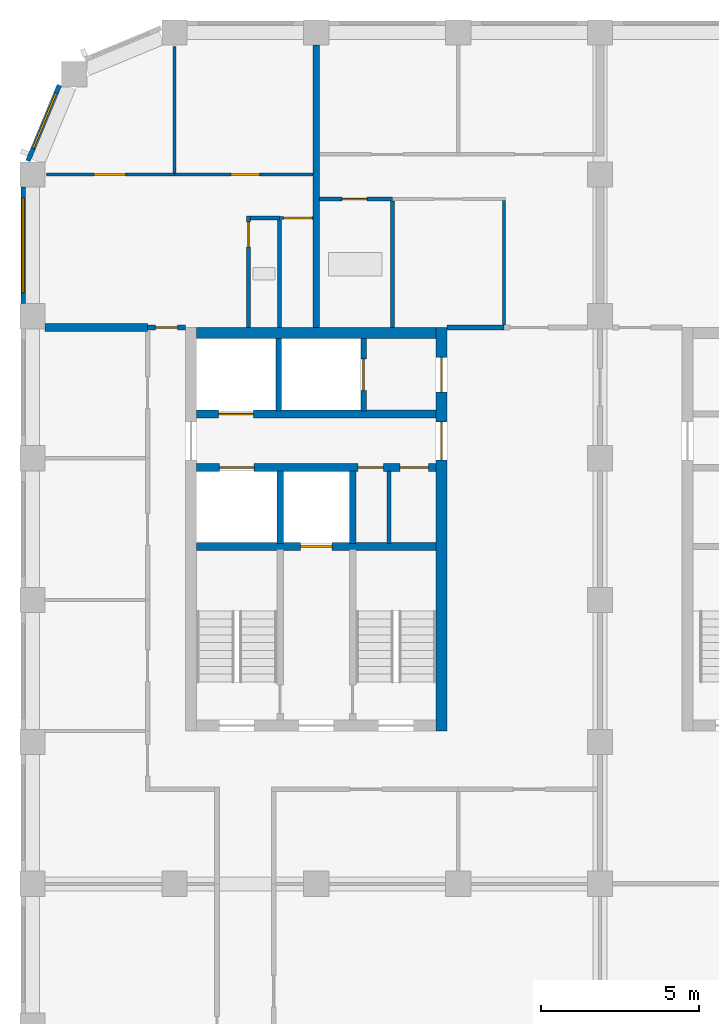
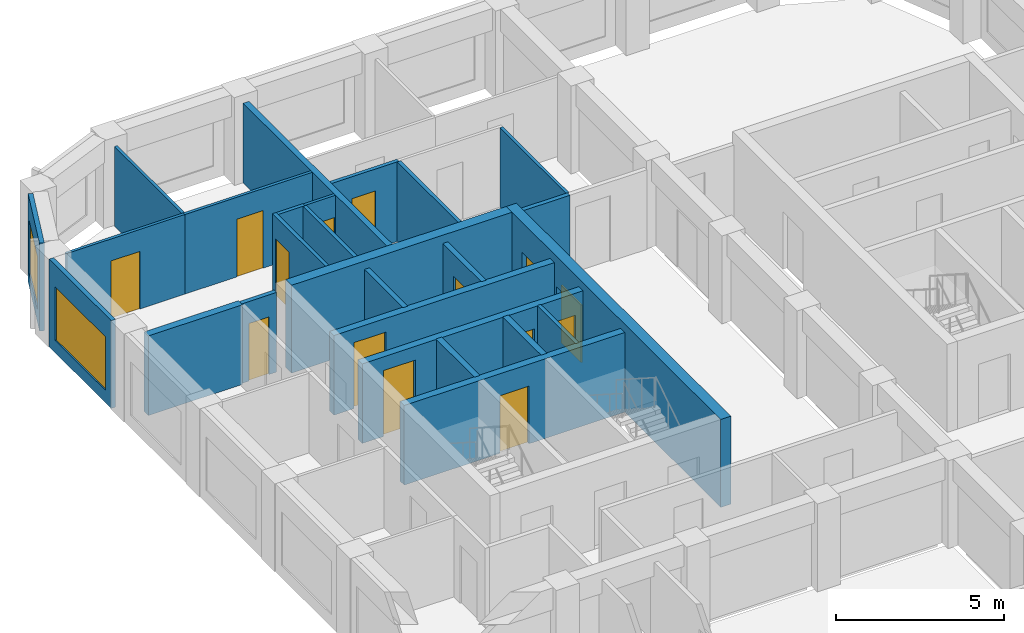
# One storey, part 5 of 9: 26 walls, 14 doors, 2 windows, 16 openings.
"""IFC4 building model written with IfcOpenShell, lengths in metres."""

from ifc_helpers import new_model, si_unit, direction, frame, frame_2d, origin, place, context, subcontext, project, spatial, rectangle, extrude, material, layer, layer_set, type_object, element, fill, save


model = new_model("IFC4")

# Units and contexts
model_context = context("Model", 3, precision=1e-05, world=origin(), true_north=direction((0.0, 1.0)))
body_context = subcontext(model_context, "Body", "Model", "MODEL_VIEW")
ifc_project = project(units=[si_unit("LENGTHUNIT", "METRE"), si_unit("AREAUNIT", "SQUARE_METRE"), si_unit("VOLUMEUNIT", "CUBIC_METRE"), si_unit("PLANEANGLEUNIT", "RADIAN"), si_unit("MASSUNIT", "GRAM", prefix="KILO")], contexts=[model_context])

# Site, building, storey
site_placement = place(None, origin())
site = spatial("IfcSite", under=ifc_project, at=site_placement, CompositionType="ELEMENT")
building_placement = place(site_placement, origin())
building = spatial("IfcBuilding", under=site, at=building_placement, Name="Girih Gate Residences", CompositionType="ELEMENT")
storey_placement = place(building_placement, frame((0.0, 0.0, 219.695068359375)))
storey = spatial("IfcBuildingStorey", under=building, at=storey_placement, Name="L61", CompositionType="ELEMENT", Elevation=219.695068359375)

# Wall
ifc_material_1 = material(Name="Gypsum board on steel studs", Category="steel")
ifc_layer_1 = layer(ifc_material_1, 0.25)
ifc_layer_set_1 = layer_set([ifc_layer_1], Name="Acoustic separating wall 250 mm")
wall_type_1 = type_object("IfcWallType", Name="Acoustic separating wall 250 mm", PredefinedType="PARTITIONING", material=ifc_layer_set_1)
wall_1_placement = place(storey_placement, frame((0.39990234375, 40.14990234375, 0.0), z_axis=(0.0, 0.0, 1.0), x_axis=(1.0, 0.0, 0.0)))
element("IfcWall", 1, at=wall_1_placement, inside=storey, type_object=wall_type_1, Name="L61 partition", PredefinedType="PARTITIONING", context=body_context, shape_type="SweptSolid", body=[
    extrude(rectangle(XDim=3.25, YDim=0.25, at=frame_2d((1.625, 0.0))), origin(), (0.0, 0.0, 1.0), 2.89990234375),
])

# Wall, opening, door
ifc_layer_2 = layer(ifc_material_1, 0.14990234375)
ifc_layer_set_2 = layer_set([ifc_layer_2], Name="Compartment wall 150 mm")
wall_type_2 = type_object("IfcWallType", Name="Compartment wall 150 mm", PredefinedType="PARTITIONING", material=ifc_layer_set_2)
wall_2_placement = place(storey_placement, frame((3.64990234375, 40.14990234375, 0.0), z_axis=(0.0, 0.0, 1.0), x_axis=(1.0, 0.0, 0.0)))
wall_2 = element("IfcWall", 2, at=wall_2_placement, inside=storey, type_object=wall_type_2, Name="L61 partition", PredefinedType="PARTITIONING", context=body_context, shape_type="SweptSolid", body=[
    extrude(rectangle(XDim=1.2001953125, YDim=0.14990234375, at=frame_2d((0.60009765625, 0.0))), origin(), (0.0, 0.0, 1.0), 2.89990234375),
])
opening_1_placement = place(wall_2_placement, frame((0.239990234375, 0.0, 0.0)))
opening_1 = element("IfcOpeningElement", 3, at=opening_1_placement, cuts=wall_2, Name="Opening A61-011", PredefinedType="OPENING", context=body_context, shape_type="SweptSolid", body=[
    extrude(rectangle(XDim=0.699951171875, YDim=2.10009765625, at=frame_2d((0.35009765625, 1.050048828125))), frame((0.0, 0.0849609375, 0.0), z_axis=(0.0, -1.0, 0.0), x_axis=(1.0, 0.0, 0.0)), (0.0, 0.0, 1.0), 0.169921875),
])
ifc_material_2 = material(Name="Timber", Category="wood")
door_type_1 = type_object("IfcDoorType", Name="Narrow door 700x2100", OperationType="NOTDEFINED", PredefinedType="DOOR", material=ifc_material_2)
door_1_placement = place(opening_1_placement, origin())
door_1 = element("IfcDoor", 4, at=door_1_placement, inside=storey, type_object=door_type_1, Name="Door A61-011", OperationType="SINGLE_SWING_LEFT", OverallHeight=2.10009765625, OverallWidth=0.699951171875, PredefinedType="DOOR", context=body_context, shape_type="SweptSolid", body=[
    extrude(rectangle(XDim=0.699951171875, YDim=2.10009765625, at=frame_2d((0.35009765625, 1.050048828125))), frame((0.0, 0.02490234375, 0.0), z_axis=(0.0, -1.0, 0.0), x_axis=(1.0, 0.0, 0.0)), (0.0, 0.0, 1.0), 0.050048828125),
])
fill(opening_1, door_1)

# Walls
wall_3_placement = place(storey_placement, frame((13.14990234375, 40.14990234375, 0.0), z_axis=(0.0, 0.0, 1.0), x_axis=(1.0, 0.0, 0.0)))
element("IfcWall", 5, at=wall_3_placement, inside=storey, type_object=wall_type_2, Name="L61 partition", PredefinedType="PARTITIONING", context=body_context, shape_type="SweptSolid", body=[
    extrude(rectangle(XDim=1.800048828125, YDim=0.14990234375, at=frame_2d((0.89990234375, 0.0))), origin(), (0.0, 0.0, 1.0), 2.89990234375),
])
ifc_material_3 = material(Name="Concrete C60/75", Category="concrete")
ifc_layer_3 = layer(ifc_material_3, 0.35009765625)
ifc_layer_set_3 = layer_set([ifc_layer_3], Name="Core wall RC 350 Concrete C60/75")
wall_type_3 = type_object("IfcWallType", Name="Core wall RC 350 Concrete C60/75", PredefinedType="SOLIDWALL", material=ifc_layer_set_3)
wall_4_placement = place(storey_placement, frame((5.199951171875, 39.97509765625, 0.0), z_axis=(0.0, 0.0, 1.0), x_axis=(1.0, 0.0, 0.0)))
element("IfcWall", 6, at=wall_4_placement, inside=storey, type_object=wall_type_3, Name="Core wall W-N L61", PredefinedType="SOLIDWALL", context=body_context, shape_type="SweptSolid", body=[
    extrude(rectangle(XDim=7.60009765625, YDim=0.35009765625, at=frame_2d((3.800048828125, 0.0))), origin(), (0.0, 0.0, 1.0), 3.199951171875),
])

# Wall, openings, doors
wall_5_placement = place(storey_placement, frame((12.97509765625, 27.35009765625, 0.0), z_axis=(0.0, 0.0, 1.0), x_axis=(0.0, 1.0, 0.0)))
wall_5 = element("IfcWall", 7, at=wall_5_placement, inside=storey, type_object=wall_type_3, Name="Core wall W-E L61", PredefinedType="SOLIDWALL", context=body_context, shape_type="SweptSolid", body=[
    extrude(rectangle(XDim=12.7998046875, YDim=0.35009765625, at=frame_2d((6.39990234375, 0.0))), origin(), (0.0, 0.0, 1.0), 3.199951171875),
])
opening_2_placement = place(wall_5_placement, frame((10.75, 0.0, 0.0)))
opening_2 = element("IfcOpeningElement", 8, at=opening_2_placement, cuts=wall_5, Name="Opening D-L61-W-012", PredefinedType="OPENING", context=body_context, shape_type="SweptSolid", body=[
    extrude(rectangle(XDim=1.10009765625, YDim=2.10009765625, at=frame_2d((0.550048828125, 1.050048828125))), frame((0.0, 0.18505859375, 0.0), z_axis=(0.0, -1.0, 0.0), x_axis=(1.0, 0.0, 0.0)), (0.0, 0.0, 1.0), 0.3701171875),
])
opening_3_placement = place(wall_5_placement, frame((8.60009765625, 0.0, 0.0)))
opening_3 = element("IfcOpeningElement", 9, at=opening_3_placement, cuts=wall_5, Name="Opening D-L61-W-014", PredefinedType="OPENING", context=body_context, shape_type="SweptSolid", body=[
    extrude(rectangle(XDim=1.199951171875, YDim=2.10009765625, at=frame_2d((0.60009765625, 1.050048828125))), frame((0.0, 0.18505859375, 0.0), z_axis=(0.0, -1.0, 0.0), x_axis=(1.0, 0.0, 0.0)), (0.0, 0.0, 1.0), 0.3701171875),
])
ifc_material_4 = material(Name="Painted steel, fire-resisting", Category="steel")
door_type_2 = type_object("IfcDoorType", Name="Fire door 1100x2100", OperationType="SINGLE_SWING_LEFT", PredefinedType="DOOR", material=ifc_material_4)
door_2_placement = place(opening_2_placement, origin())
door_2 = element("IfcDoor", 10, at=door_2_placement, inside=storey, type_object=door_type_2, Name="L61 W core door ffl2-e", OperationType="SINGLE_SWING_LEFT", OverallHeight=2.10009765625, OverallWidth=1.10009765625, PredefinedType="DOOR", context=body_context, shape_type="SweptSolid", body=[
    extrude(rectangle(XDim=1.10009765625, YDim=2.10009765625, at=frame_2d((0.550048828125, 1.050048828125))), frame((0.0, 0.02490234375, 0.0), z_axis=(0.0, -1.0, 0.0), x_axis=(1.0, 0.0, 0.0)), (0.0, 0.0, 1.0), 0.050048828125),
])
fill(opening_2, door_2)
door_type_3 = type_object("IfcDoorType", Name="Fire door 1200x2100", OperationType="SINGLE_SWING_LEFT", PredefinedType="DOOR", material=ifc_material_4)
door_3_placement = place(opening_3_placement, origin())
door_3 = element("IfcDoor", 11, at=door_3_placement, inside=storey, type_object=door_type_3, Name="L61 W core door ll-e", OperationType="SINGLE_SWING_LEFT", OverallHeight=2.10009765625, OverallWidth=1.199951171875, PredefinedType="DOOR", context=body_context, shape_type="SweptSolid", body=[
    extrude(rectangle(XDim=1.199951171875, YDim=2.10009765625, at=frame_2d((0.60009765625, 1.050048828125))), frame((0.0, 0.02490234375, 0.0), z_axis=(0.0, -1.0, 0.0), x_axis=(1.0, 0.0, 0.0)), (0.0, 0.0, 1.0), 0.050048828125),
])
fill(opening_3, door_3)

# Wall, opening, door
ifc_material_5 = material(Name="Concrete C40/50", Category="concrete")
ifc_layer_4 = layer(ifc_material_5, 0.25)
ifc_layer_set_4 = layer_set([ifc_layer_4], Name="Lift shaft wall 250")
wall_type_4 = type_object("IfcWallType", Name="Lift shaft wall 250", PredefinedType="SOLIDWALL", material=ifc_layer_set_4)
wall_6_placement = place(storey_placement, frame((5.199951171875, 33.199951171875, 0.0), z_axis=(0.0, 0.0, 1.0), x_axis=(1.0, 0.0, 0.0)))
wall_6 = element("IfcWall", 12, at=wall_6_placement, inside=storey, type_object=wall_type_4, Name="L61 W core wall H1", PredefinedType="SOLIDWALL", context=body_context, shape_type="SweptSolid", body=[
    extrude(rectangle(XDim=7.60009765625, YDim=0.25, at=frame_2d((3.800048828125, 0.0))), origin(), (0.0, 0.0, 1.0), 2.89990234375),
])
opening_4_placement = place(wall_6_placement, frame((3.300048828125, 0.0, 0.0)))
opening_4 = element("IfcOpeningElement", 13, at=opening_4_placement, cuts=wall_6, Name="Opening D-L61-W-006", PredefinedType="OPENING", context=body_context, shape_type="SweptSolid", body=[
    extrude(rectangle(XDim=1.0, YDim=2.10009765625, at=frame_2d((0.5, 1.050048828125))), frame((0.0, 0.135009765625, 0.0), z_axis=(0.0, -1.0, 0.0), x_axis=(1.0, 0.0, 0.0)), (0.0, 0.0, 1.0), 0.27001953125),
])
ifc_material_6 = material(Name="Stainless steel, fire-resisting", Category="steel")
door_type_4 = type_object("IfcDoorType", Name="Firefighting lift landing door 1000x2100", OperationType="SLIDING_TO_LEFT", PredefinedType="DOOR", material=ifc_material_6)
door_4_placement = place(opening_4_placement, origin())
door_4 = element("IfcDoor", 14, at=door_4_placement, inside=storey, type_object=door_type_4, Name="L61 lift FF-W landing door", OperationType="SLIDING_TO_LEFT", OverallHeight=2.10009765625, OverallWidth=1.0, PredefinedType="DOOR", context=body_context, shape_type="SweptSolid", body=[
    extrude(rectangle(XDim=1.0, YDim=2.10009765625, at=frame_2d((0.5, 1.050048828125))), frame((0.0, 0.02490234375, 0.0), z_axis=(0.0, -1.0, 0.0), x_axis=(1.0, 0.0, 0.0)), (0.0, 0.0, 1.0), 0.050048828125),
])
fill(opening_4, door_4)

# Wall, openings, doors
wall_7_placement = place(storey_placement, frame((5.199951171875, 35.699951171875, 0.0), z_axis=(0.0, 0.0, 1.0), x_axis=(1.0, 0.0, 0.0)))
wall_7 = element("IfcWall", 15, at=wall_7_placement, inside=storey, type_object=wall_type_4, Name="L61 W core wall H2", PredefinedType="SOLIDWALL", context=body_context, shape_type="SweptSolid", body=[
    extrude(rectangle(XDim=7.60009765625, YDim=0.25, at=frame_2d((3.800048828125, 0.0))), origin(), (0.0, 0.0, 1.0), 2.89990234375),
])
opening_5_placement = place(wall_7_placement, frame((0.72509765625, 0.0, 0.0)))
opening_5 = element("IfcOpeningElement", 16, at=opening_5_placement, cuts=wall_7, Name="Opening D-L61-W-005", PredefinedType="OPENING", context=body_context, shape_type="SweptSolid", body=[
    extrude(rectangle(XDim=1.10009765625, YDim=2.39990234375, at=frame_2d((0.550048828125, 1.199951171875))), frame((0.0, 0.135009765625, 0.0), z_axis=(0.0, -1.0, 0.0), x_axis=(1.0, 0.0, 0.0)), (0.0, 0.0, 1.0), 0.27001953125),
])
opening_6_placement = place(wall_7_placement, frame((5.125, 0.0, 0.0)))
opening_6 = element("IfcOpeningElement", 17, at=opening_6_placement, cuts=wall_7, Name="Opening D-L61-W-007", PredefinedType="OPENING", context=body_context, shape_type="SweptSolid", body=[
    extrude(rectangle(XDim=0.800048828125, YDim=2.10009765625, at=frame_2d((0.39990234375, 1.050048828125))), frame((0.0, 0.135009765625, 0.0), z_axis=(0.0, -1.0, 0.0), x_axis=(1.0, 0.0, 0.0)), (0.0, 0.0, 1.0), 0.27001953125),
])
opening_7_placement = place(wall_7_placement, frame((6.449951171875, 0.0, 0.0)))
opening_7 = element("IfcOpeningElement", 18, at=opening_7_placement, cuts=wall_7, Name="Opening D-L61-W-008", PredefinedType="OPENING", context=body_context, shape_type="SweptSolid", body=[
    extrude(rectangle(XDim=0.89990234375, YDim=2.10009765625, at=frame_2d((0.449951171875, 1.050048828125))), frame((0.0, 0.135009765625, 0.0), z_axis=(0.0, -1.0, 0.0), x_axis=(1.0, 0.0, 0.0)), (0.0, 0.0, 1.0), 0.27001953125),
])
door_type_5 = type_object("IfcDoorType", Name="Fire door 800x2100", OperationType="SINGLE_SWING_LEFT", PredefinedType="DOOR", material=ifc_material_4)
door_5_placement = place(opening_6_placement, origin())
door_5 = element("IfcDoor", 19, at=door_5_placement, inside=storey, type_object=door_type_5, Name="L61 W comms room door", OperationType="SINGLE_SWING_LEFT", OverallHeight=2.10009765625, OverallWidth=0.800048828125, PredefinedType="DOOR", context=body_context, shape_type="SweptSolid", body=[
    extrude(rectangle(XDim=0.800048828125, YDim=2.10009765625, at=frame_2d((0.39990234375, 1.050048828125))), frame((0.0, 0.02490234375, 0.0), z_axis=(0.0, -1.0, 0.0), x_axis=(1.0, 0.0, 0.0)), (0.0, 0.0, 1.0), 0.050048828125),
])
fill(opening_6, door_5)
door_type_6 = type_object("IfcDoorType", Name="Fire door 900x2100", OperationType="SINGLE_SWING_LEFT", PredefinedType="DOOR", material=ifc_material_4)
door_6_placement = place(opening_7_placement, origin())
door_6 = element("IfcDoor", 20, at=door_6_placement, inside=storey, type_object=door_type_6, Name="L61 W linen store door", OperationType="SINGLE_SWING_LEFT", OverallHeight=2.10009765625, OverallWidth=0.89990234375, PredefinedType="DOOR", context=body_context, shape_type="SweptSolid", body=[
    extrude(rectangle(XDim=0.89990234375, YDim=2.10009765625, at=frame_2d((0.449951171875, 1.050048828125))), frame((0.0, 0.02490234375, 0.0), z_axis=(0.0, -1.0, 0.0), x_axis=(1.0, 0.0, 0.0)), (0.0, 0.0, 1.0), 0.050048828125),
])
fill(opening_7, door_6)
ifc_material_7 = material(Name="Stainless steel", Category="steel")
door_type_7 = type_object("IfcDoorType", Name="Lift landing door 1100x2400", OperationType="SLIDING_TO_LEFT", PredefinedType="DOOR", material=ifc_material_7)
door_7_placement = place(opening_5_placement, origin())
door_7 = element("IfcDoor", 21, at=door_7_placement, inside=storey, type_object=door_type_7, Name="L61 lift HR-W1 landing door", OperationType="SLIDING_TO_LEFT", OverallHeight=2.39990234375, OverallWidth=1.10009765625, PredefinedType="DOOR", context=body_context, shape_type="SweptSolid", body=[
    extrude(rectangle(XDim=1.10009765625, YDim=2.39990234375, at=frame_2d((0.550048828125, 1.199951171875))), frame((0.0, 0.02490234375, 0.0), z_axis=(0.0, -1.0, 0.0), x_axis=(1.0, 0.0, 0.0)), (0.0, 0.0, 1.0), 0.050048828125),
])
fill(opening_5, door_7)

# Wall, opening, door
wall_8_placement = place(storey_placement, frame((5.199951171875, 37.39990234375, 0.0), z_axis=(0.0, 0.0, 1.0), x_axis=(1.0, 0.0, 0.0)))
wall_8 = element("IfcWall", 22, at=wall_8_placement, inside=storey, type_object=wall_type_4, Name="L61 W core wall H3", PredefinedType="SOLIDWALL", context=body_context, shape_type="SweptSolid", body=[
    extrude(rectangle(XDim=7.60009765625, YDim=0.25, at=frame_2d((3.800048828125, 0.0))), origin(), (0.0, 0.0, 1.0), 2.89990234375),
])
opening_8_placement = place(wall_8_placement, frame((0.699951171875, 0.0, 0.0)))
opening_8 = element("IfcOpeningElement", 23, at=opening_8_placement, cuts=wall_8, Name="Opening D-L61-W-003", PredefinedType="OPENING", context=body_context, shape_type="SweptSolid", body=[
    extrude(rectangle(XDim=1.10009765625, YDim=2.39990234375, at=frame_2d((0.550048828125, 1.199951171875))), frame((0.0, 0.135009765625, 0.0), z_axis=(0.0, -1.0, 0.0), x_axis=(1.0, 0.0, 0.0)), (0.0, 0.0, 1.0), 0.27001953125),
])
door_8_placement = place(opening_8_placement, origin())
door_8 = element("IfcDoor", 24, at=door_8_placement, inside=storey, type_object=door_type_7, Name="L61 lift LR-W1 landing door", OperationType="SLIDING_TO_LEFT", OverallHeight=2.39990234375, OverallWidth=1.10009765625, PredefinedType="DOOR", context=body_context, shape_type="SweptSolid", body=[
    extrude(rectangle(XDim=1.10009765625, YDim=2.39990234375, at=frame_2d((0.550048828125, 1.199951171875))), frame((0.0, 0.02490234375, 0.0), z_axis=(0.0, -1.0, 0.0), x_axis=(1.0, 0.0, 0.0)), (0.0, 0.0, 1.0), 0.050048828125),
])
fill(opening_8, door_8)

ifc_layer_5 = layer(ifc_material_1, 0.10009765625)
ifc_layer_set_5 = layer_set([ifc_layer_5], Name="Partition 100 mm")
wall_type_5 = type_object("IfcWallType", Name="Partition 100 mm", PredefinedType="PARTITIONING", material=ifc_layer_set_5)
wall_9_placement = place(storey_placement, frame((4.5, 45.0, 0.0), z_axis=(0.0, 0.0, 1.0), x_axis=(1.0, 0.0, 0.0)))
wall_9 = element("IfcWall", 25, at=wall_9_placement, inside=storey, type_object=wall_type_5, Name="L61 partition", PredefinedType="PARTITIONING", context=body_context, shape_type="SweptSolid", body=[
    extrude(rectangle(XDim=4.39990234375, YDim=0.10009765625, at=frame_2d((2.199951171875, 0.0))), origin(), (0.0, 0.0, 1.0), 2.89990234375),
])
opening_9_placement = place(wall_9_placement, frame((1.800048828125, 0.0, 0.0)))
opening_9 = element("IfcOpeningElement", 26, at=opening_9_placement, cuts=wall_9, Name="Opening A61-008", PredefinedType="OPENING", context=body_context, shape_type="SweptSolid", body=[
    extrude(rectangle(XDim=0.89990234375, YDim=2.10009765625, at=frame_2d((0.449951171875, 1.050048828125))), frame((0.0, 0.06005859375, 0.0), z_axis=(0.0, -1.0, 0.0), x_axis=(1.0, 0.0, 0.0)), (0.0, 0.0, 1.0), 0.1201171875),
])
door_type_8 = type_object("IfcDoorType", Name="Bedroom door 900x2100", OperationType="NOTDEFINED", PredefinedType="DOOR", material=ifc_material_2)
door_9_placement = place(opening_9_placement, origin())
door_9 = element("IfcDoor", 27, at=door_9_placement, inside=storey, type_object=door_type_8, Name="Door A61-008", OperationType="SINGLE_SWING_RIGHT", OverallHeight=2.10009765625, OverallWidth=0.89990234375, PredefinedType="DOOR", context=body_context, shape_type="SweptSolid", body=[
    extrude(rectangle(XDim=0.89990234375, YDim=2.10009765625, at=frame_2d((0.449951171875, 1.050048828125))), frame((0.0, 0.02490234375, 0.0), z_axis=(0.0, -1.0, 0.0), x_axis=(1.0, 0.0, 0.0)), (0.0, 0.0, 1.0), 0.050048828125),
])
fill(opening_9, door_9)

# Wall
wall_10_placement = place(storey_placement, frame((4.5, 45.050048828125, 0.0), z_axis=(0.0, 0.0, 1.0), x_axis=(0.0, 1.0, 0.0)))
element("IfcWall", 28, at=wall_10_placement, inside=storey, type_object=wall_type_5, Name="L61 partition", PredefinedType="PARTITIONING", context=body_context, shape_type="SweptSolid", body=[
    extrude(rectangle(XDim=4.01708984375, YDim=0.10009765625, at=frame_2d((2.008544921875, 0.0))), origin(), (0.0, 0.0, 1.0), 2.89990234375),
])

# Wall, opening, door
wall_11_placement = place(storey_placement, frame((8.89990234375, 43.6201171875, 0.0), z_axis=(0.0, 0.0, 1.0), x_axis=(-1.0, 0.0, 0.0)))
wall_11 = element("IfcWall", 29, at=wall_11_placement, inside=storey, type_object=wall_type_5, Name="L61 partition", PredefinedType="PARTITIONING", context=body_context, shape_type="SweptSolid", body=[
    extrude(rectangle(XDim=1.072509765625, YDim=0.10009765625, at=frame_2d((0.5361328125, 0.0))), origin(), (0.0, 0.0, 1.0), 2.89990234375),
])
opening_10_placement = place(wall_11_placement, frame((0.036376953125, 0.0, 0.0)))
opening_10 = element("IfcOpeningElement", 30, at=opening_10_placement, cuts=wall_11, Name="Opening A61-009", PredefinedType="OPENING", context=body_context, shape_type="SweptSolid", body=[
    extrude(rectangle(XDim=0.89990234375, YDim=2.10009765625, at=frame_2d((0.449951171875, 1.050048828125))), frame((0.0, 0.06005859375, 0.0), z_axis=(0.0, -1.0, 0.0), x_axis=(1.0, 0.0, 0.0)), (0.0, 0.0, 1.0), 0.1201171875),
])
door_type_9 = type_object("IfcDoorType", Name="Kitchen door 900x2100", OperationType="NOTDEFINED", PredefinedType="DOOR", material=ifc_material_2)
door_10_placement = place(opening_10_placement, origin())
door_10 = element("IfcDoor", 31, at=door_10_placement, inside=storey, type_object=door_type_9, Name="Door A61-009", OperationType="SINGLE_SWING_LEFT", OverallHeight=2.10009765625, OverallWidth=0.89990234375, PredefinedType="DOOR", context=body_context, shape_type="SweptSolid", body=[
    extrude(rectangle(XDim=0.89990234375, YDim=2.10009765625, at=frame_2d((0.449951171875, 1.050048828125))), frame((0.0, 0.02490234375, 0.0), z_axis=(0.0, -1.0, 0.0), x_axis=(1.0, 0.0, 0.0)), (0.0, 0.0, 1.0), 0.050048828125),
])
fill(opening_10, door_10)

wall_12_placement = place(storey_placement, frame((0.432861328125, 45.0, 0.0), z_axis=(0.0, 0.0, 1.0), x_axis=(1.0, 0.0, 0.0)))
wall_12 = element("IfcWall", 32, at=wall_12_placement, inside=storey, type_object=wall_type_5, Name="L61 partition", PredefinedType="PARTITIONING", context=body_context, shape_type="SweptSolid", body=[
    extrude(rectangle(XDim=4.067138671875, YDim=0.10009765625, at=frame_2d((2.03369140625, 0.0))), origin(), (0.0, 0.0, 1.0), 2.89990234375),
])
opening_11_placement = place(wall_12_placement, frame((1.51708984375, 0.0, 0.0)))
opening_11 = element("IfcOpeningElement", 33, at=opening_11_placement, cuts=wall_12, Name="Opening A61-010", PredefinedType="OPENING", context=body_context, shape_type="SweptSolid", body=[
    extrude(rectangle(XDim=1.0, YDim=2.10009765625, at=frame_2d((0.5, 1.050048828125))), frame((0.0, 0.06005859375, 0.0), z_axis=(0.0, -1.0, 0.0), x_axis=(1.0, 0.0, 0.0)), (0.0, 0.0, 1.0), 0.1201171875),
])
door_type_10 = type_object("IfcDoorType", Name="Living room door 1000x2100", OperationType="NOTDEFINED", PredefinedType="DOOR", material=ifc_material_2)
door_11_placement = place(opening_11_placement, origin())
door_11 = element("IfcDoor", 34, at=door_11_placement, inside=storey, type_object=door_type_10, Name="Door A61-010", OperationType="SINGLE_SWING_LEFT", OverallHeight=2.10009765625, OverallWidth=1.0, PredefinedType="DOOR", context=body_context, shape_type="SweptSolid", body=[
    extrude(rectangle(XDim=1.0, YDim=2.10009765625, at=frame_2d((0.5, 1.050048828125))), frame((0.0, 0.02490234375, 0.0), z_axis=(0.0, -1.0, 0.0), x_axis=(1.0, 0.0, 0.0)), (0.0, 0.0, 1.0), 0.050048828125),
])
fill(opening_11, door_11)

# Walls
wall_13_placement = place(storey_placement, frame((14.949951171875, 40.22509765625, 0.0), z_axis=(0.0, 0.0, 1.0), x_axis=(0.0, 1.0, 0.0)))
element("IfcWall", 35, at=wall_13_placement, inside=storey, type_object=wall_type_5, Name="L61 partition", PredefinedType="PARTITIONING", context=body_context, shape_type="SweptSolid", body=[
    extrude(rectangle(XDim=3.94482421875, YDim=0.10009765625, at=frame_2d((1.972412109375, 0.0))), origin(), (0.0, 0.0, 1.0), 2.89990234375),
])
ifc_layer_6 = layer(ifc_material_1, 0.199951171875)
ifc_layer_set_6 = layer_set([ifc_layer_6], Name="Party wall 200 mm")
wall_type_6 = type_object("IfcWallType", Name="Party wall 200 mm", PredefinedType="PARTITIONING", material=ifc_layer_set_6)
wall_14_placement = place(storey_placement, frame((9.0, 40.14990234375, 0.0), z_axis=(0.0, 0.0, 1.0), x_axis=(0.0, 1.0, 0.0)))
element("IfcWall", 36, at=wall_14_placement, inside=storey, type_object=wall_type_6, Name="L61 partition", PredefinedType="PARTITIONING", context=body_context, shape_type="SweptSolid", body=[
    extrude(rectangle(XDim=8.9501953125, YDim=0.199951171875, at=frame_2d((4.47509765625, 0.0))), origin(), (0.0, 0.0, 1.0), 2.89990234375),
])

# Wall, opening, window
ifc_material_8 = material(Name="Precast concrete C50/60", Category="concrete")
ifc_layer_7 = layer(ifc_material_8, 0.050048828125, Name="Outer leaf")
ifc_material_9 = material(Name="Rigid PIR insulation")
ifc_layer_8 = layer(ifc_material_9, 0.06005859375, Name="Insulation")
ifc_material_10 = material(Name="Precast concrete C40/50", Category="concrete")
ifc_layer_9 = layer(ifc_material_10, 0.0400390625, Name="Inner leaf")
ifc_layer_set_7 = layer_set([ifc_layer_7, ifc_layer_8, ifc_layer_9], Name="Precast concrete C50/60 external wall 150")
wall_type_7 = type_object("IfcWallType", Name="Precast concrete C50/60 external wall 150", PredefinedType="SOLIDWALL", material=ifc_layer_set_7)
wall_15_placement = place(storey_placement, frame((-0.147216796875, 45.4287109375, 0.0), z_axis=(0.0, 0.0, 1.0), x_axis=(0.382669406082, 0.923885342263, 0.0)))
wall_15 = element("IfcWall", 37, at=wall_15_placement, inside=storey, type_object=wall_type_7, Name="External wall NW0013_0482.0", PredefinedType="SOLIDWALL", context=body_context, shape_type="SweptSolid", body=[
    extrude(rectangle(XDim=2.602294921875, YDim=0.14990234375, at=frame_2d((1.30126953125, 0.0))), origin(), (0.0, 0.0, 1.0), 3.199951171875),
])
opening_12_placement = place(wall_15_placement, frame((0.432373046875, 0.0, 0.449951171875)))
opening_12 = element("IfcOpeningElement", 38, at=opening_12_placement, cuts=wall_15, Name="Opening W-2G", PredefinedType="OPENING", context=body_context, shape_type="SweptSolid", body=[
    extrude(rectangle(XDim=1.89990234375, YDim=1.949951171875, at=frame_2d((0.949951171875, 0.97509765625))), frame((0.0, 0.0849609375, 0.0), z_axis=(0.0, -1.0, 0.0), x_axis=(1.0, 0.0, 0.0)), (0.0, 0.0, 1.0), 0.169921875),
])
ifc_material_11 = material(Name="Double glazing in aluminium frame", Category="aluminium")
window_type_1 = type_object("IfcWindowType", Name="Window W-2G 1900x1950", PartitioningType="SINGLE_PANEL", PredefinedType="WINDOW", material=ifc_material_11)
window_1_placement = place(opening_12_placement, origin())
window_1 = element("IfcWindow", 39, at=window_1_placement, inside=storey, type_object=window_type_1, Name="Window W-2G NW0013_0482.0", OverallHeight=1.949951171875, OverallWidth=1.89990234375, PartitioningType="SINGLE_PANEL", PredefinedType="WINDOW", context=body_context, shape_type="SweptSolid", body=[
    extrude(rectangle(XDim=1.89990234375, YDim=1.949951171875, at=frame_2d((0.949951171875, 0.97509765625))), frame((0.0, 0.030029296875, 0.0), z_axis=(0.0, -1.0, 0.0), x_axis=(1.0, 0.0, 0.0)), (0.0, 0.0, 1.0), 0.06005859375),
])
fill(opening_12, window_1)

wall_16_placement = place(storey_placement, frame((-0.300048828125, 40.89990234375, 0.0), z_axis=(0.0, 0.0, 1.0), x_axis=(0.0, 1.0, 0.0)))
wall_16 = element("IfcWall", 40, at=wall_16_placement, inside=storey, type_object=wall_type_7, Name="External wall W0000_0450.0", PredefinedType="SOLIDWALL", context=body_context, shape_type="SweptSolid", body=[
    extrude(rectangle(XDim=3.7001953125, YDim=0.14990234375, at=frame_2d((1.85009765625, 0.0))), origin(), (0.0, 0.0, 1.0), 3.199951171875),
])
opening_13_placement = place(wall_16_placement, frame((0.35009765625, 0.0, 0.449951171875)))
opening_13 = element("IfcOpeningElement", 41, at=opening_13_placement, cuts=wall_16, Name="Opening W-1D", PredefinedType="OPENING", context=body_context, shape_type="SweptSolid", body=[
    extrude(rectangle(XDim=3.0, YDim=1.949951171875, at=frame_2d((1.5, 0.97509765625))), frame((0.0, 0.0849609375, 0.0), z_axis=(0.0, -1.0, 0.0), x_axis=(1.0, 0.0, 0.0)), (0.0, 0.0, 1.0), 0.169921875),
])
window_type_2 = type_object("IfcWindowType", Name="Window W-1D 3000x1950", PartitioningType="SINGLE_PANEL", PredefinedType="WINDOW", material=ifc_material_11)
window_2_placement = place(opening_13_placement, origin())
window_2 = element("IfcWindow", 42, at=window_2_placement, inside=storey, type_object=window_type_2, Name="Window W-1D W0000_0450.0", OverallHeight=1.949951171875, OverallWidth=3.0, PartitioningType="SINGLE_PANEL", PredefinedType="WINDOW", context=body_context, shape_type="SweptSolid", body=[
    extrude(rectangle(XDim=3.0, YDim=1.949951171875, at=frame_2d((1.5, 0.97509765625))), frame((0.0, 0.030029296875, 0.0), z_axis=(0.0, -1.0, 0.0), x_axis=(1.0, 0.0, 0.0)), (0.0, 0.0, 1.0), 0.06005859375),
])
fill(opening_13, window_2)

# Wall
ifc_layer_10 = layer(ifc_material_5, 0.175048828125)
ifc_layer_set_8 = layer_set([ifc_layer_10], Name="Riser shaft wall 175")
wall_type_8 = type_object("IfcWallType", Name="Riser shaft wall 175", PredefinedType="SOLIDWALL", material=ifc_layer_set_8)
wall_17_placement = place(storey_placement, frame((7.800048828125, 37.5, 0.0), z_axis=(0.0, 0.0, 1.0), x_axis=(0.0, 1.0, 0.0)))
element("IfcWall", 43, at=wall_17_placement, inside=storey, type_object=wall_type_8, Name="L61 W core wall V1c", PredefinedType="SOLIDWALL", context=body_context, shape_type="SweptSolid", body=[
    extrude(rectangle(XDim=2.300048828125, YDim=0.175048828125, at=frame_2d((1.14990234375, 0.0))), origin(), (0.0, 0.0, 1.0), 2.89990234375),
])

# Wall, opening, door
wall_18_placement = place(storey_placement, frame((10.5, 37.5, 0.0), z_axis=(0.0, 0.0, 1.0), x_axis=(0.0, 1.0, 0.0)))
wall_18 = element("IfcWall", 44, at=wall_18_placement, inside=storey, type_object=wall_type_8, Name="L61 W core wall V2c", PredefinedType="SOLIDWALL", context=body_context, shape_type="SweptSolid", body=[
    extrude(rectangle(XDim=2.300048828125, YDim=0.175048828125, at=frame_2d((1.14990234375, 0.0))), origin(), (0.0, 0.0, 1.0), 2.89990234375),
])
opening_14_placement = place(wall_18_placement, frame((0.64990234375, 0.0, 0.0)))
opening_14 = element("IfcOpeningElement", 45, at=opening_14_placement, cuts=wall_18, Name="Opening D-L61-W-004", PredefinedType="OPENING", context=body_context, shape_type="SweptSolid", body=[
    extrude(rectangle(XDim=1.0, YDim=2.10009765625, at=frame_2d((0.5, 1.050048828125))), frame((0.0, 0.097412109375, 0.0), z_axis=(0.0, -1.0, 0.0), x_axis=(1.0, 0.0, 0.0)), (0.0, 0.0, 1.0), 0.195068359375),
])
door_12_placement = place(opening_14_placement, origin())
door_12 = element("IfcDoor", 46, at=door_12_placement, inside=storey, type_object=door_type_4, Name="L61 lift FF-W2 landing door", OperationType="SLIDING_TO_LEFT", OverallHeight=2.10009765625, OverallWidth=1.0, PredefinedType="DOOR", context=body_context, shape_type="SweptSolid", body=[
    extrude(rectangle(XDim=1.0, YDim=2.10009765625, at=frame_2d((0.5, 1.050048828125))), frame((0.0, 0.02490234375, 0.0), z_axis=(0.0, -1.0, 0.0), x_axis=(1.0, 0.0, 0.0)), (0.0, 0.0, 1.0), 0.050048828125),
])
fill(opening_14, door_12)

# Walls
ifc_layer_11 = layer(ifc_material_5, 0.199951171875)
ifc_layer_set_9 = layer_set([ifc_layer_11], Name="Shaft wall 200")
wall_type_9 = type_object("IfcWallType", Name="Shaft wall 200", PredefinedType="SOLIDWALL", material=ifc_layer_set_9)
for number, where, z_axis, x_axis, name in (
    (47, (7.85009765625, 33.300048828125, 0.0), (0.0, 0.0, 1.0), (0.0, 1.0, 0.0), "L61 W core wall V1b"),
    (48, (10.14990234375, 33.300048828125, 0.0), (0.0, 0.0, 1.0), (0.0, 1.0, 0.0), "L61 W core wall V2b"),
):
    element("IfcWall", number, at=place(storey_placement, frame(where, z_axis=z_axis, x_axis=x_axis)), inside=storey, type_object=wall_type_9, Name=name, PredefinedType="SOLIDWALL", context=body_context, shape_type="SweptSolid", body=[
        extrude(rectangle(XDim=2.300048828125, YDim=0.199951171875, at=frame_2d((1.14990234375, 0.0))), origin(), (0.0, 0.0, 1.0), 2.89990234375),
    ])
ifc_material_12 = material(Name="Calcium silicate blockwork", Category="masonry")
ifc_layer_12 = layer(ifc_material_12, 0.125)
ifc_layer_set_10 = layer_set([ifc_layer_12], Name="Store partition 125")
wall_type_10 = type_object("IfcWallType", Name="Store partition 125", PredefinedType="PARTITIONING", material=ifc_layer_set_10)
wall_19_placement = place(storey_placement, frame((11.300048828125, 33.300048828125, 0.0), z_axis=(0.0, 0.0, 1.0), x_axis=(0.0, 1.0, 0.0)))
element("IfcWall", 49, at=wall_19_placement, inside=storey, type_object=wall_type_10, Name="L61 W core wall SHR2", PredefinedType="PARTITIONING", context=body_context, shape_type="SweptSolid", body=[
    extrude(rectangle(XDim=2.300048828125, YDim=0.125, at=frame_2d((1.14990234375, 0.0))), origin(), (0.0, 0.0, 1.0), 2.89990234375),
])

# Wall, opening, door
ifc_layer_13 = layer(ifc_material_1, 0.125)
ifc_layer_set_11 = layer_set([ifc_layer_13], Name="Wet room wall 125 mm")
wall_type_11 = type_object("IfcWallType", Name="Wet room wall 125 mm", PredefinedType="PARTITIONING", material=ifc_layer_set_11)
wall_20_placement = place(storey_placement, frame((6.85009765625, 43.6826171875, 0.0), z_axis=(0.0, 0.0, 1.0), x_axis=(0.0, -1.0, 0.0)))
wall_20 = element("IfcWall", 50, at=wall_20_placement, inside=storey, type_object=wall_type_11, Name="L61 partition", PredefinedType="PARTITIONING", context=body_context, shape_type="SweptSolid", body=[
    extrude(rectangle(XDim=3.53271484375, YDim=0.125, at=frame_2d((1.766357421875, 0.0))), origin(), (0.0, 0.0, 1.0), 2.89990234375),
])
opening_15_placement = place(wall_20_placement, frame((0.1826171875, 0.0, 0.0)))
opening_15 = element("IfcOpeningElement", 51, at=opening_15_placement, cuts=wall_20, Name="Opening A61-007", PredefinedType="OPENING", context=body_context, shape_type="SweptSolid", body=[
    extrude(rectangle(XDim=0.800048828125, YDim=2.10009765625, at=frame_2d((0.39990234375, 1.050048828125))), frame((0.0, 0.072509765625, 0.0), z_axis=(0.0, -1.0, 0.0), x_axis=(1.0, 0.0, 0.0)), (0.0, 0.0, 1.0), 0.14501953125),
])
door_type_11 = type_object("IfcDoorType", Name="Bathroom door 800x2100", OperationType="NOTDEFINED", PredefinedType="DOOR", material=ifc_material_2)
door_13_placement = place(opening_15_placement, origin())
door_13 = element("IfcDoor", 52, at=door_13_placement, inside=storey, type_object=door_type_11, Name="Door A61-007", OperationType="SINGLE_SWING_LEFT", OverallHeight=2.10009765625, OverallWidth=0.800048828125, PredefinedType="DOOR", context=body_context, shape_type="SweptSolid", body=[
    extrude(rectangle(XDim=0.800048828125, YDim=2.10009765625, at=frame_2d((0.39990234375, 1.050048828125))), frame((0.0, 0.02490234375, 0.0), z_axis=(0.0, -1.0, 0.0), x_axis=(1.0, 0.0, 0.0)), (0.0, 0.0, 1.0), 0.050048828125),
])
fill(opening_15, door_13)

# Walls
wall_21_placement = place(storey_placement, frame((6.91259765625, 43.6201171875, 0.0), z_axis=(0.0, 0.0, 1.0), x_axis=(1.0, 0.0, 0.0)))
element("IfcWall", 53, at=wall_21_placement, inside=storey, type_object=wall_type_11, Name="L61 partition", PredefinedType="PARTITIONING", context=body_context, shape_type="SweptSolid", body=[
    extrude(rectangle(XDim=0.914794921875, YDim=0.125, at=frame_2d((0.45751953125, 0.0))), origin(), (0.0, 0.0, 1.0), 2.89990234375),
])
wall_22_placement = place(storey_placement, frame((7.826904296875, 40.14990234375, 0.0), z_axis=(0.0, 0.0, 1.0), x_axis=(0.0, 1.0, 0.0)))
element("IfcWall", 54, at=wall_22_placement, inside=storey, type_object=wall_type_11, Name="L61 partition", PredefinedType="PARTITIONING", context=body_context, shape_type="SweptSolid", body=[
    extrude(rectangle(XDim=3.40771484375, YDim=0.125, at=frame_2d((1.703857421875, 0.0))), origin(), (0.0, 0.0, 1.0), 2.89990234375),
])

# Wall, opening, door
wall_23_placement = place(storey_placement, frame((11.418212890625, 44.219970703125, 0.0), z_axis=(0.0, 0.0, 1.0), x_axis=(-1.0, 0.0, 0.0)))
wall_23 = element("IfcWall", 55, at=wall_23_placement, inside=storey, type_object=wall_type_11, Name="L61 partition", PredefinedType="PARTITIONING", context=body_context, shape_type="SweptSolid", body=[
    extrude(rectangle(XDim=2.318115234375, YDim=0.125, at=frame_2d((1.1591796875, 0.0))), origin(), (0.0, 0.0, 1.0), 2.89990234375),
])
opening_16_placement = place(wall_23_placement, frame((0.80908203125, 0.0, 0.0)))
opening_16 = element("IfcOpeningElement", 56, at=opening_16_placement, cuts=wall_23, Name="Opening A61-012", PredefinedType="OPENING", context=body_context, shape_type="SweptSolid", body=[
    extrude(rectangle(XDim=0.800048828125, YDim=2.10009765625, at=frame_2d((0.39990234375, 1.050048828125))), frame((0.0, 0.072509765625, 0.0), z_axis=(0.0, -1.0, 0.0), x_axis=(1.0, 0.0, 0.0)), (0.0, 0.0, 1.0), 0.14501953125),
])
door_14_placement = place(opening_16_placement, origin())
door_14 = element("IfcDoor", 57, at=door_14_placement, inside=storey, type_object=door_type_11, Name="Door A61-012", OperationType="SINGLE_SWING_RIGHT", OverallHeight=2.10009765625, OverallWidth=0.800048828125, PredefinedType="DOOR", context=body_context, shape_type="SweptSolid", body=[
    extrude(rectangle(XDim=0.800048828125, YDim=2.10009765625, at=frame_2d((0.39990234375, 1.050048828125))), frame((0.0, 0.02490234375, 0.0), z_axis=(0.0, -1.0, 0.0), x_axis=(1.0, 0.0, 0.0)), (0.0, 0.0, 1.0), 0.050048828125),
])
fill(opening_16, door_14)

# Wall
wall_24_placement = place(storey_placement, frame((11.41796875, 40.14990234375, 0.0), z_axis=(0.0, 0.0, 1.0), x_axis=(0.0, 1.0, 0.0)))
element("IfcWall", 58, at=wall_24_placement, inside=storey, type_object=wall_type_11, Name="L61 partition", PredefinedType="PARTITIONING", context=body_context, shape_type="SweptSolid", body=[
    extrude(rectangle(XDim=4.007568359375, YDim=0.125, at=frame_2d((2.00390625, 0.0))), origin(), (0.0, 0.0, 1.0), 2.89990234375),
])

save(model, "model.ifc")
